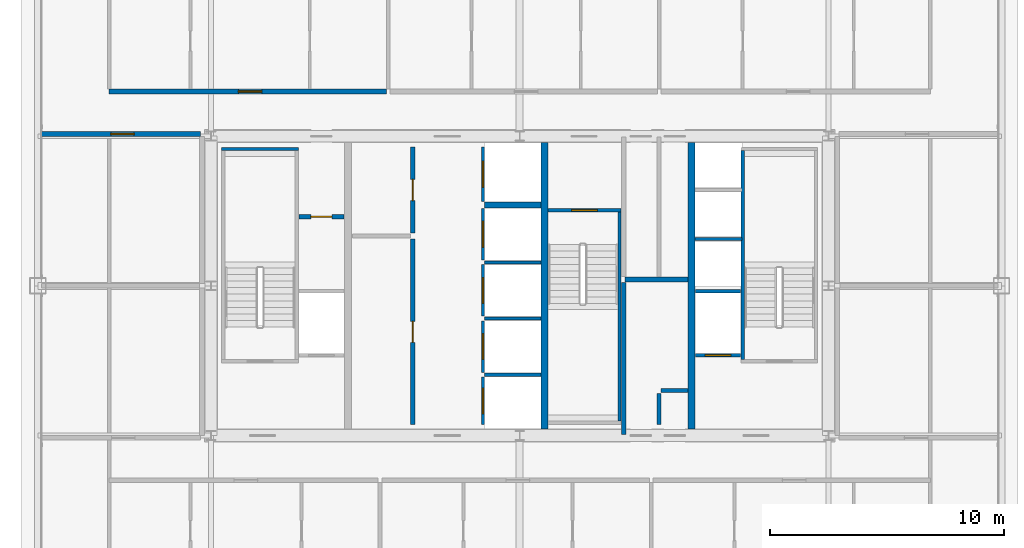
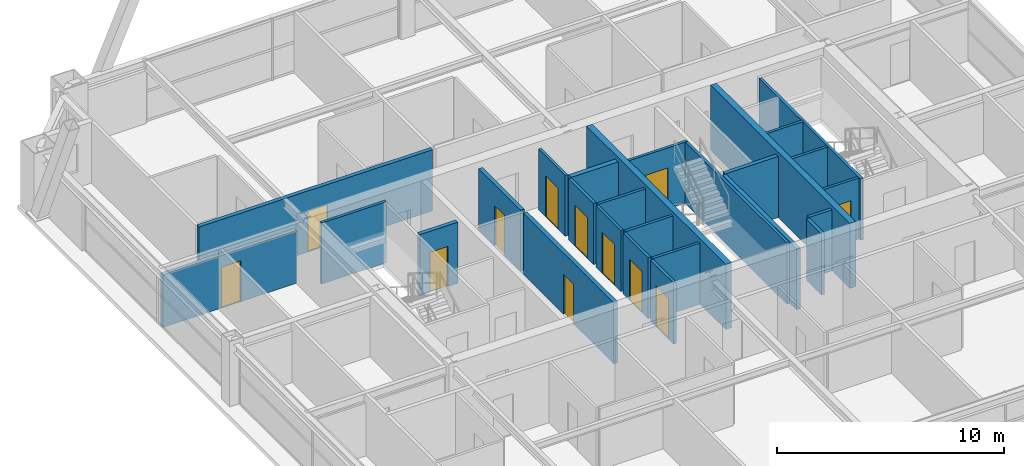
# One storey, part 31 of 34: 27 walls, 12 doors, 12 openings.
"""IFC4 building model written with IfcOpenShell, lengths in metres."""

from ifc_helpers import new_model, si_unit, direction, frame, frame_2d, origin, place, context, subcontext, project, spatial, rectangle, extrude, source, transform, mapped, material, layer, layer_set, type_object, element, fill, save


model = new_model("IFC4")

# Units and contexts
model_context = context("Model", 3, precision=1e-05, world=origin(), true_north=direction((0.0, 1.0)))
body_context = subcontext(model_context, "Body", "Model", "MODEL_VIEW")
ifc_project = project(units=[si_unit("LENGTHUNIT", "METRE"), si_unit("AREAUNIT", "SQUARE_METRE"), si_unit("VOLUMEUNIT", "CUBIC_METRE"), si_unit("PLANEANGLEUNIT", "RADIAN"), si_unit("MASSUNIT", "GRAM", prefix="KILO"), si_unit("THERMODYNAMICTEMPERATUREUNIT", "KELVIN"), si_unit("POWERUNIT", "WATT")], contexts=[model_context])

# Site, building, storey
site_placement = place(None, origin())
site = spatial("IfcSite", under=ifc_project, at=site_placement, CompositionType="ELEMENT")
building_placement = place(site_placement, origin())
building = spatial("IfcBuilding", under=site, at=building_placement, Name="Yuzanri Waterfront Tower", CompositionType="ELEMENT")
storey_placement = place(building_placement, frame((0.0, 0.0, 241.60009765625)))
storey = spatial("IfcBuildingStorey", under=building, at=storey_placement, Name="L64", CompositionType="ELEMENT", Elevation=241.60009765625)

# Wall, opening, door
ifc_material_1 = material(Name="Concrete C40", Category="concrete")
ifc_layer_1 = layer(ifc_material_1, 0.139892578125)
ifc_layer_set_1 = layer_set([ifc_layer_1], Name="Concrete C40")
wall_type_1 = type_object("IfcWallType", Name="Core Stair Liner and Hoistway Shaft Wall 140", PredefinedType="SOLIDWALL", material=ifc_layer_set_1)
wall_1_placement = place(storey_placement, frame((44.52001953125, 22.830078125, 0.0), z_axis=(0.0, 0.0, 1.0), x_axis=(1.0, 0.0, 0.0)))
wall_1 = element("IfcWall", 1, at=wall_1_placement, inside=storey, type_object=wall_type_1, Name="L64 Lift FL-02 Front Shaft Wall", PredefinedType="SOLIDWALL", context=body_context, shape_type="SweptSolid", body=[
    extrude(rectangle(XDim=1.919921875, YDim=0.139892578125, at=frame_2d((0.9599609375, 0.0))), origin(), (0.0, 0.0, 1.0), 3.27978515625),
])
opening_1_placement = place(wall_1_placement, frame((0.409912109375, 0.0, 0.0)))
opening_1 = element("IfcOpeningElement", 2, at=opening_1_placement, cuts=wall_1, Name="Opening LD-FL-02", PredefinedType="OPENING", context=body_context, shape_type="SweptSolid", body=[
    extrude(rectangle(XDim=1.10009765625, YDim=2.199951171875, at=frame_2d((0.550048828125, 1.10009765625))), frame((0.0, 0.0849609375, 0.0), z_axis=(0.0, -1.0, 0.0), x_axis=(1.0, 0.0, 0.0)), (0.0, 0.0, 1.0), 0.169677734375),
])
ifc_material_2 = material(Name="Brushed Bronze and Stainless Steel Cab", Category="steel")
door_type_1 = type_object("IfcDoorType", Name="Center-Parting Bronze Lift Landing Sliding Door 1100x2200", OperationType="NOTDEFINED", PredefinedType="DOOR", material=ifc_material_2)
shared_shape_1 = source(origin(), body_context, "Body", "SweptSolid", [
    extrude(rectangle(XDim=1.10009765625, YDim=2.199951171875, at=frame_2d((0.550048828125, 1.10009765625))), frame((0.0, 0.02490234375, 0.0), z_axis=(0.0, -1.0, 0.0), x_axis=(1.0, 0.0, 0.0)), (0.0, 0.0, 1.0), 0.050048828125),
])
door_1_placement = place(opening_1_placement, origin())
door_1 = element("IfcDoor", 3, at=door_1_placement, inside=storey, type_object=door_type_1, Name="L64 FL-02 Lift Landing Sliding Door", OperationType="SLIDING_TO_RIGHT", OverallHeight=2.199951171875, OverallWidth=1.10009765625, PredefinedType="DOOR", context=body_context, shape_type="MappedRepresentation", body=[
    mapped(shared_shape_1, transform((0.0, 0.0, 0.0), scale=1.0)),
])
fill(opening_1, door_1)

wall_2_placement = place(storey_placement, frame((35.429931640625, 19.860107421875, 0.0), z_axis=(0.0, 0.0, 1.0), x_axis=(0.0, 1.0, 0.0)))
wall_2 = element("IfcWall", 4, at=wall_2_placement, inside=storey, type_object=wall_type_1, Name="L64 Lift PL-05 Front Shaft Wall", PredefinedType="SOLIDWALL", context=body_context, shape_type="SweptSolid", body=[
    extrude(rectangle(XDim=2.039794921875, YDim=0.139892578125, at=frame_2d((1.02001953125, 0.0))), origin(), (0.0, 0.0, 1.0), 3.27978515625),
])
opening_2_placement = place(wall_2_placement, frame((0.469970703125, 0.0, 0.0)))
opening_2 = element("IfcOpeningElement", 5, at=opening_2_placement, cuts=wall_2, Name="Opening LD-PL-05", PredefinedType="OPENING", context=body_context, shape_type="SweptSolid", body=[
    extrude(rectangle(XDim=1.10009765625, YDim=2.199951171875, at=frame_2d((0.550048828125, 1.10009765625))), frame((0.0, 0.0849609375, 0.0), z_axis=(0.0, -1.0, 0.0), x_axis=(1.0, 0.0, 0.0)), (0.0, 0.0, 1.0), 0.169677734375),
])
door_2_placement = place(opening_2_placement, origin())
door_2 = element("IfcDoor", 6, at=door_2_placement, inside=storey, type_object=door_type_1, Name="L64 PL-05 Lift Landing Sliding Door", OperationType="SLIDING_TO_RIGHT", OverallHeight=2.199951171875, OverallWidth=1.10009765625, PredefinedType="DOOR", context=body_context, shape_type="MappedRepresentation", body=[
    mapped(shared_shape_1, transform((0.0, 0.0, 0.0), scale=1.0)),
])
fill(opening_2, door_2)

wall_3_placement = place(storey_placement, frame((35.429931640625, 22.10009765625, 0.0), z_axis=(0.0, 0.0, 1.0), x_axis=(0.0, 1.0, 0.0)))
wall_3 = element("IfcWall", 7, at=wall_3_placement, inside=storey, type_object=wall_type_1, Name="L64 Lift PL-06 Front Shaft Wall", PredefinedType="SOLIDWALL", context=body_context, shape_type="SweptSolid", body=[
    extrude(rectangle(XDim=2.199951171875, YDim=0.139892578125, at=frame_2d((1.10009765625, 0.0))), origin(), (0.0, 0.0, 1.0), 3.27978515625),
])
opening_3_placement = place(wall_3_placement, frame((0.550048828125, 0.0, 0.0)))
opening_3 = element("IfcOpeningElement", 8, at=opening_3_placement, cuts=wall_3, Name="Opening LD-PL-06", PredefinedType="OPENING", context=body_context, shape_type="SweptSolid", body=[
    extrude(rectangle(XDim=1.10009765625, YDim=2.199951171875, at=frame_2d((0.550048828125, 1.10009765625))), frame((0.0, 0.0849609375, 0.0), z_axis=(0.0, -1.0, 0.0), x_axis=(1.0, 0.0, 0.0)), (0.0, 0.0, 1.0), 0.169677734375),
])
door_3_placement = place(opening_3_placement, origin())
door_3 = element("IfcDoor", 9, at=door_3_placement, inside=storey, type_object=door_type_1, Name="L64 PL-06 Lift Landing Sliding Door", OperationType="SLIDING_TO_LEFT", OverallHeight=2.199951171875, OverallWidth=1.10009765625, PredefinedType="DOOR", context=body_context, shape_type="MappedRepresentation", body=[
    mapped(shared_shape_1, transform((0.0, 0.0, 0.0), scale=1.0)),
])
fill(opening_3, door_3)

wall_4_placement = place(storey_placement, frame((35.429931640625, 24.5, 0.0), z_axis=(0.0, 0.0, 1.0), x_axis=(0.0, 1.0, 0.0)))
wall_4 = element("IfcWall", 10, at=wall_4_placement, inside=storey, type_object=wall_type_1, Name="L64 Lift PL-07 Front Shaft Wall", PredefinedType="SOLIDWALL", context=body_context, shape_type="SweptSolid", body=[
    extrude(rectangle(XDim=2.199951171875, YDim=0.139892578125, at=frame_2d((1.10009765625, 0.0))), origin(), (0.0, 0.0, 1.0), 3.27978515625),
])
opening_4_placement = place(wall_4_placement, frame((0.550048828125, 0.0, 0.0)))
opening_4 = element("IfcOpeningElement", 11, at=opening_4_placement, cuts=wall_4, Name="Opening LD-PL-07", PredefinedType="OPENING", context=body_context, shape_type="SweptSolid", body=[
    extrude(rectangle(XDim=1.10009765625, YDim=2.199951171875, at=frame_2d((0.550048828125, 1.10009765625))), frame((0.0, 0.0849609375, 0.0), z_axis=(0.0, -1.0, 0.0), x_axis=(1.0, 0.0, 0.0)), (0.0, 0.0, 1.0), 0.169677734375),
])
door_4_placement = place(opening_4_placement, origin())
door_4 = element("IfcDoor", 12, at=door_4_placement, inside=storey, type_object=door_type_1, Name="L64 PL-07 Lift Landing Sliding Door", OperationType="SLIDING_TO_RIGHT", OverallHeight=2.199951171875, OverallWidth=1.10009765625, PredefinedType="DOOR", context=body_context, shape_type="MappedRepresentation", body=[
    mapped(shared_shape_1, transform((0.0, 0.0, 0.0), scale=1.0)),
])
fill(opening_4, door_4)

wall_5_placement = place(storey_placement, frame((35.429931640625, 26.89990234375, 0.0), z_axis=(0.0, 0.0, 1.0), x_axis=(0.0, 1.0, 0.0)))
wall_5 = element("IfcWall", 13, at=wall_5_placement, inside=storey, type_object=wall_type_1, Name="L64 Lift PL-08 Front Shaft Wall", PredefinedType="SOLIDWALL", context=body_context, shape_type="SweptSolid", body=[
    extrude(rectangle(XDim=2.2001953125, YDim=0.139892578125, at=frame_2d((1.10009765625, 0.0))), origin(), (0.0, 0.0, 1.0), 3.27978515625),
])
opening_5_placement = place(wall_5_placement, frame((0.550048828125, 0.0, 0.0)))
opening_5 = element("IfcOpeningElement", 14, at=opening_5_placement, cuts=wall_5, Name="Opening LD-PL-08", PredefinedType="OPENING", context=body_context, shape_type="SweptSolid", body=[
    extrude(rectangle(XDim=1.10009765625, YDim=2.199951171875, at=frame_2d((0.550048828125, 1.10009765625))), frame((0.0, 0.0849609375, 0.0), z_axis=(0.0, -1.0, 0.0), x_axis=(1.0, 0.0, 0.0)), (0.0, 0.0, 1.0), 0.169677734375),
])
door_5_placement = place(opening_5_placement, origin())
door_5 = element("IfcDoor", 15, at=door_5_placement, inside=storey, type_object=door_type_1, Name="L64 PL-08 Lift Landing Sliding Door", OperationType="SLIDING_TO_LEFT", OverallHeight=2.199951171875, OverallWidth=1.10009765625, PredefinedType="DOOR", context=body_context, shape_type="MappedRepresentation", body=[
    mapped(shared_shape_1, transform((0.0, 0.0, 0.0), scale=1.0)),
])
fill(opening_5, door_5)

wall_6_placement = place(storey_placement, frame((35.429931640625, 29.39990234375, 0.0), z_axis=(0.0, 0.0, 1.0), x_axis=(0.0, 1.0, 0.0)))
wall_6 = element("IfcWall", 16, at=wall_6_placement, inside=storey, type_object=wall_type_1, Name="L64 Lift SL-02 Front Shaft Wall", PredefinedType="SOLIDWALL", context=body_context, shape_type="SweptSolid", body=[
    extrude(rectangle(XDim=2.340087890625, YDim=0.139892578125, at=frame_2d((1.169921875, 0.0))), origin(), (0.0, 0.0, 1.0), 3.27978515625),
])
opening_6_placement = place(wall_6_placement, frame((0.6201171875, 0.0, 0.0)))
opening_6 = element("IfcOpeningElement", 17, at=opening_6_placement, cuts=wall_6, Name="Opening LD-SL-02", PredefinedType="OPENING", context=body_context, shape_type="SweptSolid", body=[
    extrude(rectangle(XDim=1.10009765625, YDim=2.199951171875, at=frame_2d((0.550048828125, 1.10009765625))), frame((0.0, 0.0849609375, 0.0), z_axis=(0.0, -1.0, 0.0), x_axis=(1.0, 0.0, 0.0)), (0.0, 0.0, 1.0), 0.169677734375),
])
door_6_placement = place(opening_6_placement, origin())
door_6 = element("IfcDoor", 18, at=door_6_placement, inside=storey, type_object=door_type_1, Name="L64 SL-02 Lift Landing Sliding Door", OperationType="SLIDING_TO_RIGHT", OverallHeight=2.199951171875, OverallWidth=1.10009765625, PredefinedType="DOOR", context=body_context, shape_type="MappedRepresentation", body=[
    mapped(shared_shape_1, transform((0.0, 0.0, 0.0), scale=1.0)),
])
fill(opening_6, door_6)

wall_7_placement = place(storey_placement, frame((38.199951171875, 29.030029296875, 0.0), z_axis=(0.0, 0.0, 1.0), x_axis=(1.0, 0.0, 0.0)))
wall_7 = element("IfcWall", 19, at=wall_7_placement, inside=storey, type_object=wall_type_1, Name="L64 Shaft Wall STW-L64-ST-03-N", PredefinedType="SOLIDWALL", context=body_context, shape_type="SweptSolid", body=[
    extrude(rectangle(XDim=3.14013671875, YDim=0.139892578125, at=frame_2d((1.570068359375, 0.0))), origin(), (0.0, 0.0, 1.0), 3.27978515625),
])
opening_7_placement = place(wall_7_placement, frame((1.02001953125, 0.0, 0.0)))
opening_7 = element("IfcOpeningElement", 20, at=opening_7_placement, cuts=wall_7, Name="Opening FD-1100", PredefinedType="OPENING", context=body_context, shape_type="SweptSolid", body=[
    extrude(rectangle(XDim=1.10009765625, YDim=2.199951171875, at=frame_2d((0.550048828125, 1.10009765625))), frame((0.0, 0.0849609375, 0.0), z_axis=(0.0, -1.0, 0.0), x_axis=(1.0, 0.0, 0.0)), (0.0, 0.0, 1.0), 0.169677734375),
])
ifc_material_3 = material(Name="Painted Galvanized Fire Steel", Category="steel")
door_type_2 = type_object("IfcDoorType", Name="Smoke-Proof Stair and Lobby Fire Door 1100x2200", OperationType="NOTDEFINED", PredefinedType="DOOR", material=ifc_material_3)
shared_shape_2 = source(origin(), body_context, "Body", "SweptSolid", [
    extrude(rectangle(XDim=1.10009765625, YDim=2.199951171875, at=frame_2d((0.550048828125, 1.10009765625))), frame((0.0, 0.02490234375, 0.0), z_axis=(0.0, -1.0, 0.0), x_axis=(1.0, 0.0, 0.0)), (0.0, 0.0, 1.0), 0.050048828125),
])
door_7_placement = place(opening_7_placement, origin())
door_7 = element("IfcDoor", 21, at=door_7_placement, inside=storey, type_object=door_type_2, Name="L64 Stair ST-03 Fire Door", OperationType="SINGLE_SWING_RIGHT", OverallHeight=2.199951171875, OverallWidth=1.10009765625, PredefinedType="DOOR", context=body_context, shape_type="MappedRepresentation", body=[
    mapped(shared_shape_2, transform((0.0, 0.0, 0.0), scale=1.0)),
])
fill(opening_7, door_7)

ifc_material_4 = material(Name="Autoclaved Aerated Concrete Blockwork", Category="masonry")
ifc_layer_2 = layer(ifc_material_4, 0.199951171875)
ifc_layer_set_2 = layer_set([ifc_layer_2], Name="Autoclaved Aerated Concrete Blockwork")
wall_type_2 = type_object("IfcWallType", Name="Corridor and Unit Party Fire Wall 200", PredefinedType="PARTITIONING", material=ifc_layer_set_2)
wall_8_placement = place(storey_placement, frame((27.56005859375, 28.75, 0.0), z_axis=(0.0, 0.0, 1.0), x_axis=(1.0, 0.0, 0.0)))
wall_8 = element("IfcWall", 22, at=wall_8_placement, inside=storey, type_object=wall_type_2, Name="L64 Partition CRW-L64-ERTR", PredefinedType="PARTITIONING", context=body_context, shape_type="SweptSolid", body=[
    extrude(rectangle(XDim=1.919921875, YDim=0.199951171875, at=frame_2d((0.9599609375, 0.0))), origin(), (0.0, 0.0, 1.0), 3.27978515625),
])
opening_8_placement = place(wall_8_placement, frame((0.510009765625, 0.0, 0.0)))
opening_8 = element("IfcOpeningElement", 23, at=opening_8_placement, cuts=wall_8, Name="Opening FD-0900", PredefinedType="OPENING", context=body_context, shape_type="SweptSolid", body=[
    extrude(rectangle(XDim=0.89990234375, YDim=2.14990234375, at=frame_2d((0.449951171875, 1.074951171875))), frame((0.0, 0.11474609375, 0.0), z_axis=(0.0, -1.0, 0.0), x_axis=(1.0, 0.0, 0.0)), (0.0, 0.0, 1.0), 0.229736328125),
])
ifc_material_5 = material(Name="Painted Galvanized Fire Steel", Category="steel")
door_type_3 = type_object("IfcDoorType", Name="Riser and Service Room Fire Door 900x2150", OperationType="NOTDEFINED", PredefinedType="DOOR", material=ifc_material_5)
shared_shape_3 = source(origin(), body_context, "Body", "SweptSolid", [
    extrude(rectangle(XDim=0.89990234375, YDim=2.14990234375, at=frame_2d((0.449951171875, 1.074951171875))), frame((0.0, 0.02490234375, 0.0), z_axis=(0.0, -1.0, 0.0), x_axis=(1.0, 0.0, 0.0)), (0.0, 0.0, 1.0), 0.050048828125),
])
door_8_placement = place(opening_8_placement, origin())
door_8 = element("IfcDoor", 24, at=door_8_placement, inside=storey, type_object=door_type_3, Name="L64 Electrical Riser Door", OperationType="SINGLE_SWING_LEFT", OverallHeight=2.14990234375, OverallWidth=0.89990234375, PredefinedType="DOOR", context=body_context, shape_type="MappedRepresentation", body=[
    mapped(shared_shape_3, transform((0.0, 0.0, 0.0), scale=1.0)),
])
fill(opening_8, door_8)

wall_9_placement = place(storey_placement, frame((32.419921875, 19.860107421875, 0.0), z_axis=(0.0, 0.0, 1.0), x_axis=(0.0, 1.0, 0.0)))
wall_9 = element("IfcWall", 25, at=wall_9_placement, inside=storey, type_object=wall_type_2, Name="L64 Partition CRW-L64-B1R-1", PredefinedType="PARTITIONING", context=body_context, shape_type="SweptSolid", body=[
    extrude(rectangle(XDim=7.93994140625, YDim=0.199951171875, at=frame_2d((3.969970703125, 0.0))), origin(), (0.0, 0.0, 1.0), 3.27978515625),
])
opening_9_placement = place(wall_9_placement, frame((3.52001953125, 0.0, 0.0)))
opening_9 = element("IfcOpeningElement", 26, at=opening_9_placement, cuts=wall_9, Name="Opening FD-0900", PredefinedType="OPENING", context=body_context, shape_type="SweptSolid", body=[
    extrude(rectangle(XDim=0.89990234375, YDim=2.14990234375, at=frame_2d((0.449951171875, 1.074951171875))), frame((0.0, 0.11474609375, 0.0), z_axis=(0.0, -1.0, 0.0), x_axis=(1.0, 0.0, 0.0)), (0.0, 0.0, 1.0), 0.229736328125),
])
door_9_placement = place(opening_9_placement, origin())
door_9 = element("IfcDoor", 27, at=door_9_placement, inside=storey, type_object=door_type_3, Name="L64 General Store Room", OperationType="SINGLE_SWING_RIGHT", OverallHeight=2.14990234375, OverallWidth=0.89990234375, PredefinedType="DOOR", context=body_context, shape_type="MappedRepresentation", body=[
    mapped(shared_shape_3, transform((0.0, 0.0, 0.0), scale=1.0)),
])
fill(opening_9, door_9)

wall_10_placement = place(storey_placement, frame((32.419921875, 28.050048828125, 0.0), z_axis=(0.0, 0.0, 1.0), x_axis=(0.0, 1.0, 0.0)))
wall_10 = element("IfcWall", 28, at=wall_10_placement, inside=storey, type_object=wall_type_2, Name="L64 Partition CRW-L64-B1R-2", PredefinedType="PARTITIONING", context=body_context, shape_type="SweptSolid", body=[
    extrude(rectangle(XDim=3.68994140625, YDim=0.199951171875, at=frame_2d((1.844970703125, 0.0))), origin(), (0.0, 0.0, 1.0), 3.27978515625),
])
opening_10_placement = place(wall_10_placement, frame((1.39501953125, 0.0, 0.0)))
opening_10 = element("IfcOpeningElement", 29, at=opening_10_placement, cuts=wall_10, Name="Opening FD-0900", PredefinedType="OPENING", context=body_context, shape_type="SweptSolid", body=[
    extrude(rectangle(XDim=0.89990234375, YDim=2.14990234375, at=frame_2d((0.449951171875, 1.074951171875))), frame((0.0, 0.11474609375, 0.0), z_axis=(0.0, -1.0, 0.0), x_axis=(1.0, 0.0, 0.0)), (0.0, 0.0, 1.0), 0.229736328125),
])
door_10_placement = place(opening_10_placement, origin())
door_10 = element("IfcDoor", 30, at=door_10_placement, inside=storey, type_object=door_type_3, Name="L64 Water Riser Shaft", OperationType="SINGLE_SWING_LEFT", OverallHeight=2.14990234375, OverallWidth=0.89990234375, PredefinedType="DOOR", context=body_context, shape_type="MappedRepresentation", body=[
    mapped(shared_shape_3, transform((0.0, 0.0, 0.0), scale=1.0)),
])
fill(opening_10, door_10)

wall_11_placement = place(storey_placement, frame((19.43994140625, 34.110107421875, 0.0), z_axis=(0.0, 0.0, 1.0), x_axis=(1.0, 0.0, 0.0)))
wall_11 = element("IfcWall", 31, at=wall_11_placement, inside=storey, type_object=wall_type_2, Name="L64 Partition UW-L64-RN1-CS", PredefinedType="PARTITIONING", context=body_context, shape_type="SweptSolid", body=[
    extrude(rectangle(XDim=11.861083984375, YDim=0.199951171875, at=frame_2d((5.9306640625, 0.0))), origin(), (0.0, 0.0, 1.0), 3.27978515625),
])
opening_11_placement = place(wall_11_placement, frame((5.531005859375, 0.0, 0.0)))
opening_11 = element("IfcOpeningElement", 32, at=opening_11_placement, cuts=wall_11, Name="Opening FD-1000", PredefinedType="OPENING", context=body_context, shape_type="SweptSolid", body=[
    extrude(rectangle(XDim=1.0, YDim=2.199951171875, at=frame_2d((0.5, 1.10009765625))), frame((0.0, 0.11474609375, 0.0), z_axis=(0.0, -1.0, 0.0), x_axis=(1.0, 0.0, 0.0)), (0.0, 0.0, 1.0), 0.229736328125),
])
ifc_material_6 = material(Name="Engineered Oak Fire-Rated Timber", Category="wood")
door_type_4 = type_object("IfcDoorType", Name="Guestroom and Apartment Entrance Fire Door 1000x2200", OperationType="NOTDEFINED", PredefinedType="DOOR", material=ifc_material_6)
shared_shape_4 = source(origin(), body_context, "Body", "SweptSolid", [
    extrude(rectangle(XDim=1.0, YDim=2.199951171875, at=frame_2d((0.5, 1.10009765625))), frame((0.0, 0.02490234375, 0.0), z_axis=(0.0, -1.0, 0.0), x_axis=(1.0, 0.0, 0.0)), (0.0, 0.0, 1.0), 0.050048828125),
])
door_11_placement = place(opening_11_placement, origin())
door_11 = element("IfcDoor", 33, at=door_11_placement, inside=storey, type_object=door_type_4, Name="L64 Studio Living and Sleeping Room Entrance Door", OperationType="SINGLE_SWING_LEFT", OverallHeight=2.199951171875, OverallWidth=1.0, PredefinedType="DOOR", context=body_context, shape_type="MappedRepresentation", body=[
    mapped(shared_shape_4, transform((0.0, 0.0, 0.0), scale=1.0)),
])
fill(opening_11, door_11)

wall_12_placement = place(storey_placement, frame((16.550048828125, 32.2900390625, 0.0), z_axis=(0.0, 0.0, 1.0), x_axis=(1.0, 0.0, 0.0)))
wall_12 = element("IfcWall", 34, at=wall_12_placement, inside=storey, type_object=wall_type_2, Name="L64 Partition UW-L64-037-CN", PredefinedType="PARTITIONING", context=body_context, shape_type="SweptSolid", body=[
    extrude(rectangle(XDim=6.800048828125, YDim=0.199951171875, at=frame_2d((3.39990234375, 0.0))), origin(), (0.0, 0.0, 1.0), 2.824951171875),
])
opening_12_placement = place(wall_12_placement, frame((2.965087890625, 0.0, 0.0)))
opening_12 = element("IfcOpeningElement", 35, at=opening_12_placement, cuts=wall_12, Name="Opening FD-1000", PredefinedType="OPENING", context=body_context, shape_type="SweptSolid", body=[
    extrude(rectangle(XDim=1.0, YDim=2.199951171875, at=frame_2d((0.5, 1.10009765625))), frame((0.0, 0.11474609375, 0.0), z_axis=(0.0, -1.0, 0.0), x_axis=(1.0, 0.0, 0.0)), (0.0, 0.0, 1.0), 0.229736328125),
])
door_12_placement = place(opening_12_placement, origin())
door_12 = element("IfcDoor", 36, at=door_12_placement, inside=storey, type_object=door_type_4, Name="L64 Residents W Executive Office 2 Entrance Door", OperationType="SINGLE_SWING_LEFT", OverallHeight=2.199951171875, OverallWidth=1.0, PredefinedType="DOOR", context=body_context, shape_type="MappedRepresentation", body=[
    mapped(shared_shape_4, transform((0.0, 0.0, 0.0), scale=1.0)),
])
fill(opening_12, door_12)

# Walls
ifc_material_7 = material(Name="Concrete C50", Category="concrete")
ifc_layer_3 = layer(ifc_material_7, 0.300048828125)
ifc_layer_set_3 = layer_set([ifc_layer_3], Name="Concrete C50")
wall_type_3 = type_object("IfcWallType", Name="Concrete C50 Internal Core Shaft Structural Wall 300", PredefinedType="SOLIDWALL", material=ifc_layer_set_3)
shared_shape_5 = source(origin(), body_context, "Body", "SweptSolid", [
    extrude(rectangle(XDim=12.25, YDim=0.300048828125, at=frame_2d((6.125, 0.0))), origin(), (0.0, 0.0, 1.0), 3.5),
])
for number, where, z_axis, x_axis, name in (
    (37, (38.050048828125, 19.675048828125, 0.0), (0.0, 0.0, 1.0), (0.0, 1.0, 0.0), "L64 Core Internal Structural Web Wall 2"),
    (38, (44.35009765625, 19.675048828125, 0.0), (0.0, 0.0, 1.0), (0.0, 1.0, 0.0), "L64 Core Internal Structural Web Wall 3"),
):
    element("IfcWall", number, at=place(storey_placement, frame(where, z_axis=z_axis, x_axis=x_axis)), inside=storey, type_object=wall_type_3, Name=name, PredefinedType="SOLIDWALL", context=body_context, shape_type="MappedRepresentation", body=[
        mapped(shared_shape_5, transform((0.0, 0.0, 0.0), scale=1.0)),
    ])
shared_shape_6 = source(origin(), body_context, "Body", "SweptSolid", [
    extrude(rectangle(XDim=1.919921875, YDim=0.139892578125, at=frame_2d((0.9599609375, 0.0))), origin(), (0.0, 0.0, 1.0), 3.27978515625),
])
wall_13_placement = place(storey_placement, frame((44.52001953125, 25.570068359375, 0.0), z_axis=(0.0, 0.0, 1.0), x_axis=(1.0, 0.0, 0.0)))
element("IfcWall", 39, at=wall_13_placement, inside=storey, type_object=wall_type_1, Name="L64 Lift FL-02 Back Shaft Wall", PredefinedType="SOLIDWALL", context=body_context, shape_type="MappedRepresentation", body=[
    mapped(shared_shape_6, transform((0.0, 0.0, 0.0), scale=1.0)),
])
shared_shape_7 = source(origin(), body_context, "Body", "SweptSolid", [
    extrude(rectangle(XDim=2.39990234375, YDim=0.139892578125, at=frame_2d((1.199951171875, 0.0))), origin(), (0.0, 0.0, 1.0), 3.27978515625),
])
for number, where, z_axis, x_axis, name in (
    (40, (35.5, 22.0, 0.0), (0.0, 0.0, 1.0), (1.0, 0.0, 0.0), "L64 Lift PL-05 Divider Wall"),
    (41, (35.5, 24.39990234375, 0.0), (0.0, 0.0, 1.0), (1.0, 0.0, 0.0), "L64 Lift PL-06 Divider Wall"),
    (42, (35.5, 26.800048828125, 0.0), (0.0, 0.0, 1.0), (1.0, 0.0, 0.0), "L64 Lift PL-07 Divider Wall"),
):
    element("IfcWall", number, at=place(storey_placement, frame(where, z_axis=z_axis, x_axis=x_axis)), inside=storey, type_object=wall_type_1, Name=name, PredefinedType="SOLIDWALL", context=body_context, shape_type="MappedRepresentation", body=[
        mapped(shared_shape_7, transform((0.0, 0.0, 0.0), scale=1.0)),
    ])
ifc_material_8 = material(Name="Concrete C40", Category="concrete")
ifc_layer_4 = layer(ifc_material_8, 0.25)
ifc_layer_set_4 = layer_set([ifc_layer_4], Name="Concrete C40")
wall_type_4 = type_object("IfcWallType", Name="Smoke-Proof Stair and Lift Shaft Wall 250", PredefinedType="SOLIDWALL", material=ifc_layer_set_4)
shared_shape_8 = source(origin(), body_context, "Body", "SweptSolid", [
    extrude(rectangle(XDim=2.39990234375, YDim=0.25, at=frame_2d((1.199951171875, 0.0))), origin(), (0.0, 0.0, 1.0), 3.27978515625),
])
wall_14_placement = place(storey_placement, frame((35.5, 29.25, 0.0), z_axis=(0.0, 0.0, 1.0), x_axis=(1.0, 0.0, 0.0)))
element("IfcWall", 43, at=wall_14_placement, inside=storey, type_object=wall_type_4, Name="L64 Lift SL-02 South Shaft Wall", PredefinedType="SOLIDWALL", context=body_context, shape_type="MappedRepresentation", body=[
    mapped(shared_shape_8, transform((0.0, 0.0, 0.0), scale=1.0)),
])
shared_shape_9 = source(origin(), body_context, "Body", "SweptSolid", [
    extrude(rectangle(XDim=2.0, YDim=0.139892578125, at=frame_2d((1.0, 0.0))), origin(), (0.0, 0.0, 1.0), 3.27978515625),
])
wall_15_placement = place(storey_placement, frame((44.5, 27.800048828125, 0.0), z_axis=(0.0, 0.0, 1.0), x_axis=(1.0, 0.0, 0.0)))
element("IfcWall", 44, at=wall_15_placement, inside=storey, type_object=wall_type_1, Name="L64 Lift PL-09 Divider Wall", PredefinedType="SOLIDWALL", context=body_context, shape_type="MappedRepresentation", body=[
    mapped(shared_shape_9, transform((0.0, 0.0, 0.0), scale=1.0)),
])
shared_shape_10 = source(origin(), body_context, "Body", "SweptSolid", [
    extrude(rectangle(XDim=3.280029296875, YDim=0.139892578125, at=frame_2d((1.64013671875, 0.0))), origin(), (0.0, 0.0, 1.0), 3.27978515625),
])
wall_16_placement = place(storey_placement, frame((24.260009765625, 31.64990234375, 0.0), z_axis=(0.0, 0.0, 1.0), x_axis=(1.0, 0.0, 0.0)))
element("IfcWall", 45, at=wall_16_placement, inside=storey, type_object=wall_type_1, Name="L64 Stair ST-01 North Shaft Wall", PredefinedType="SOLIDWALL", context=body_context, shape_type="MappedRepresentation", body=[
    mapped(shared_shape_10, transform((0.0, 0.0, 0.0), scale=1.0)),
])
shared_shape_11 = source(origin(), body_context, "Body", "SweptSolid", [
    extrude(rectangle(XDim=8.940185546875, YDim=0.139892578125, at=frame_2d((4.47021484375, 0.0))), origin(), (0.0, 0.0, 1.0), 3.27978515625),
])
wall_17_placement = place(storey_placement, frame((46.530029296875, 22.639892578125, 0.0), z_axis=(0.0, 0.0, 1.0), x_axis=(0.0, 1.0, 0.0)))
element("IfcWall", 46, at=wall_17_placement, inside=storey, type_object=wall_type_1, Name="L64 Stair ST-02 West Shaft Wall", PredefinedType="SOLIDWALL", context=body_context, shape_type="MappedRepresentation", body=[
    mapped(shared_shape_11, transform((0.0, 0.0, 0.0), scale=1.0)),
])
shared_shape_12 = source(origin(), body_context, "Body", "SweptSolid", [
    extrude(rectangle(XDim=8.93994140625, YDim=0.139892578125, at=frame_2d((4.469970703125, 0.0))), origin(), (0.0, 0.0, 1.0), 3.27978515625),
])
wall_18_placement = place(storey_placement, frame((41.27001953125, 20.02001953125, 0.0), z_axis=(0.0, 0.0, 1.0), x_axis=(0.0, 1.0, 0.0)))
element("IfcWall", 47, at=wall_18_placement, inside=storey, type_object=wall_type_1, Name="L64 Stair ST-03 East Shaft Wall", PredefinedType="SOLIDWALL", context=body_context, shape_type="MappedRepresentation", body=[
    mapped(shared_shape_12, transform((0.0, 0.0, 0.0), scale=1.0)),
])
ifc_material_9 = material(Name="Gypsum Fireboard Acoustic Stud Wall", Category="gypsum")
ifc_layer_5 = layer(ifc_material_9, 0.159912109375)
ifc_layer_set_5 = layer_set([ifc_layer_5], Name="Gypsum Fireboard Acoustic Stud Wall")
wall_type_5 = type_object("IfcWallType", Name="Acoustic Suite Demising Partition 160", PredefinedType="PARTITIONING", material=ifc_layer_set_5)
shared_shape_13 = source(origin(), body_context, "Body", "SweptSolid", [
    extrude(rectangle(XDim=1.33984375, YDim=0.159912109375, at=frame_2d((0.669921875, 0.0))), origin(), (0.0, 0.0, 1.0), 3.27978515625),
])
wall_19_placement = place(storey_placement, frame((42.949951171875, 19.860107421875, 0.0), z_axis=(0.0, 0.0, 1.0), x_axis=(0.0, 1.0, 0.0)))
element("IfcWall", 48, at=wall_19_placement, inside=storey, type_object=wall_type_5, Name="L64 East Wet Riser West Wall", PredefinedType="PARTITIONING", context=body_context, shape_type="MappedRepresentation", body=[
    mapped(shared_shape_13, transform((0.0, 0.0, 0.0), scale=1.0)),
])
shared_shape_14 = source(origin(), body_context, "Body", "SweptSolid", [
    extrude(rectangle(XDim=1.169921875, YDim=0.159912109375, at=frame_2d((0.5849609375, 0.0))), origin(), (0.0, 0.0, 1.0), 3.27978515625),
])
wall_20_placement = place(storey_placement, frame((43.030029296875, 21.320068359375, 0.0), z_axis=(0.0, 0.0, 1.0), x_axis=(1.0, 0.0, 0.0)))
element("IfcWall", 49, at=wall_20_placement, inside=storey, type_object=wall_type_5, Name="L64 East Wet Riser North Wall", PredefinedType="PARTITIONING", context=body_context, shape_type="MappedRepresentation", body=[
    mapped(shared_shape_14, transform((0.0, 0.0, 0.0), scale=1.0)),
])
shared_shape_15 = source(origin(), body_context, "Body", "SweptSolid", [
    extrude(rectangle(XDim=6.510009765625, YDim=0.199951171875, at=frame_2d((3.2548828125, 0.0))), origin(), (0.0, 0.0, 1.0), 3.27978515625),
])
wall_21_placement = place(storey_placement, frame((41.449951171875, 19.43994140625, 0.0), z_axis=(0.0, 0.0, 1.0), x_axis=(0.0, 1.0, 0.0)))
element("IfcWall", 50, at=wall_21_placement, inside=storey, type_object=wall_type_2, Name="L64 Core BOH West Wall 1", PredefinedType="PARTITIONING", context=body_context, shape_type="MappedRepresentation", body=[
    mapped(shared_shape_15, transform((0.0, 0.0, 0.0), scale=1.0)),
])
shared_shape_16 = source(origin(), body_context, "Body", "SweptSolid", [
    extrude(rectangle(XDim=2.699951171875, YDim=0.199951171875, at=frame_2d((1.35009765625, 0.0))), origin(), (0.0, 0.0, 1.0), 3.27978515625),
])
wall_22_placement = place(storey_placement, frame((41.5, 26.070068359375, 0.0), z_axis=(0.0, 0.0, 1.0), x_axis=(1.0, 0.0, 0.0)))
element("IfcWall", 51, at=wall_22_placement, inside=storey, type_object=wall_type_2, Name="L64 Core BOH Split Wall 1", PredefinedType="PARTITIONING", context=body_context, shape_type="MappedRepresentation", body=[
    mapped(shared_shape_16, transform((0.0, 0.0, 0.0), scale=1.0)),
])

save(model, "model.ifc")
